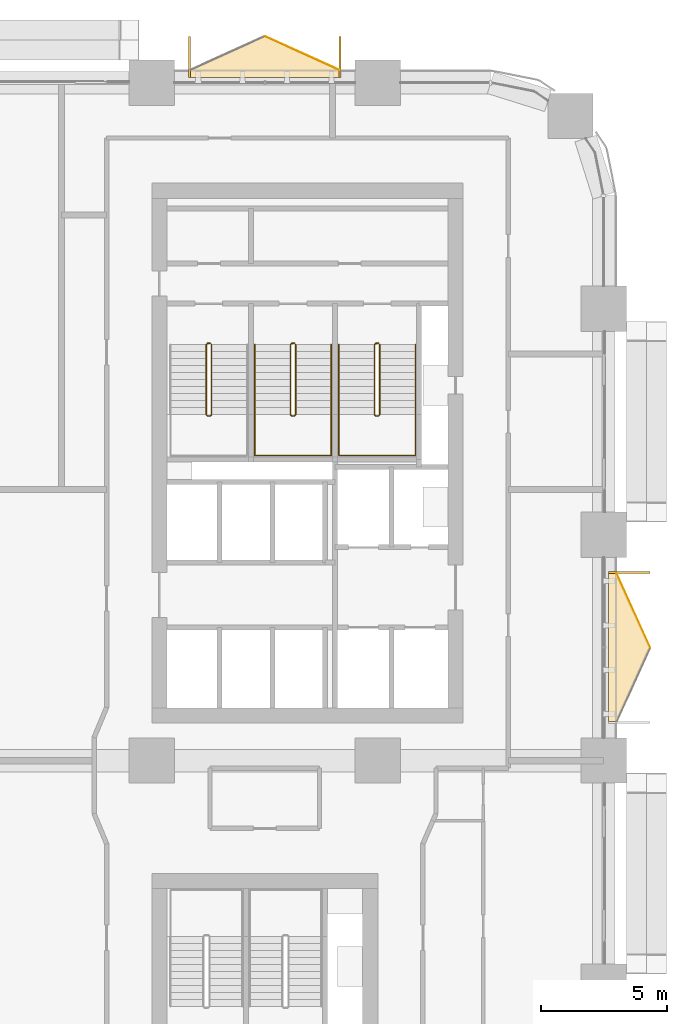
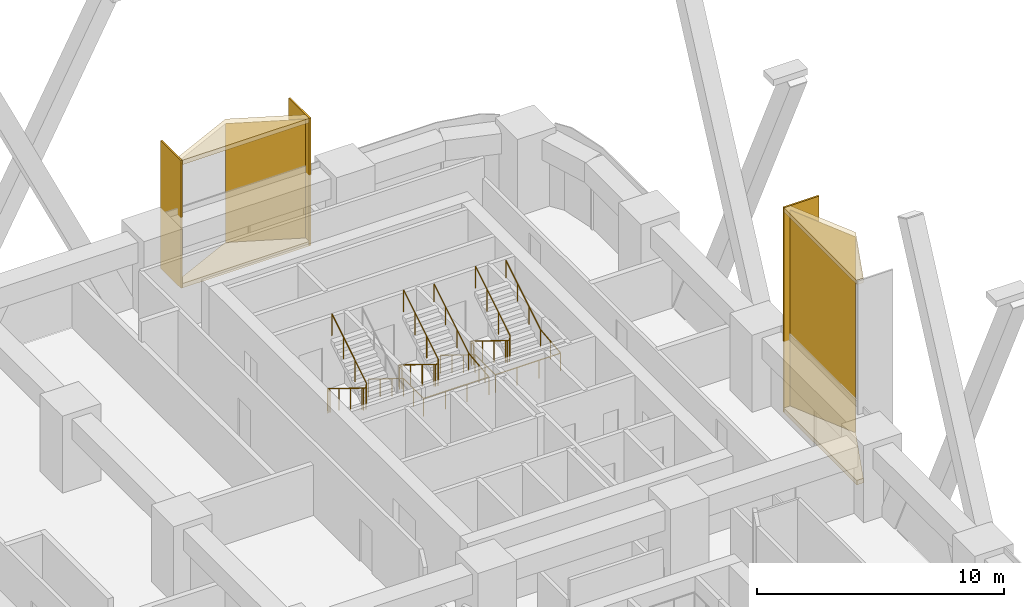
# One storey, part 26 of 26: 9 coverings, 5 railings.
"""IFC4 building model written with IfcOpenShell, lengths in metres."""

import ifcopenshell
import ifcopenshell.guid

model = None  # the IFC model being written
_history = None  # IfcOwnerHistory: only IFC2X3 demands one
_inside = {}  # id of a spatial element -> (the spatial element, [elements in it])
_under = {}  # id of a project, library or spatial element -> (it, [spatial elements below it])
_declared = {}  # id of a project -> (the project, [libraries it declares])
_typed = {}  # id of a type object -> (the type object, [elements of that type])
_made_of = {}  # id of a material, layer set ... -> (it, [elements and type objects made of it])


def new_model(schema):
    """Start an empty IFC model of exactly this schema.

    Asked for "IFC4X3", IfcOpenShell would pick the latest addendum, in which some entities
    have other attributes; the version numbers below select the first issue.
    IFC2X3 requires an IfcOwnerHistory on every rooted entity: one is made here for all.
    """
    global model, _history
    if schema == "IFC4X3":
        model = ifcopenshell.file(schema_version=(4, 3, 0, 0))
    else:
        model = ifcopenshell.file(schema=schema)
    _inside.clear()
    _under.clear()
    _declared.clear()
    _typed.clear()
    _made_of.clear()
    _history = None
    if model.schema == "IFC2X3":
        org = make("IfcOrganization", Name="unknown")
        user = make(
            "IfcPersonAndOrganization",
            ThePerson=make("IfcPerson", FamilyName="unknown"),
            TheOrganization=org,
        )
        app = make(
            "IfcApplication",
            ApplicationDeveloper=org,
            Version="unknown",
            ApplicationFullName="unknown",
            ApplicationIdentifier="unknown",
        )
        _history = make(
            "IfcOwnerHistory",
            OwningUser=user,
            OwningApplication=app,
            ChangeAction="ADDED",
            CreationDate=0,
        )
    return model


def make(cls, **values):
    """One entity of the class cls with the attributes given. An attribute that is None is left unset."""
    return model.create_entity(
        cls, **{name: value for name, value in values.items() if value is not None}
    )


def rooted(cls, **values):
    """An entity with a GlobalId (a new one), such as an element, a storey or a relation."""
    return make(cls, GlobalId=ifcopenshell.guid.new(), OwnerHistory=_history, **values)


def si_unit(unit_type, name, prefix=None):
    """IfcSIUnit, for example si_unit("LENGTHUNIT", "METRE", prefix="MILLI")."""
    return make("IfcSIUnit", UnitType=unit_type, Prefix=prefix, Name=name)


def assignment(units):
    """IfcUnitAssignment: the units of a project."""
    return None if units is None else make("IfcUnitAssignment", Units=units)


def point(xyz):
    """IfcCartesianPoint."""
    return None if xyz is None else make("IfcCartesianPoint", Coordinates=xyz)


def direction(xyz):
    """IfcDirection."""
    return None if xyz is None else make("IfcDirection", DirectionRatios=xyz)


def frame(location, z_axis=None, x_axis=None):
    """IfcAxis2Placement3D, a coordinate frame: its origin and axes. An axis left out is left unset."""
    return make(
        "IfcAxis2Placement3D",
        Location=point(location),
        Axis=direction(z_axis),
        RefDirection=direction(x_axis),
    )


def frame_2d(location, x_axis=None):
    """IfcAxis2Placement2D, a coordinate frame in the plane: its origin and x axis."""
    return make(
        "IfcAxis2Placement2D", Location=point(location), RefDirection=direction(x_axis)
    )


def origin():
    """The frame at (0, 0, 0) with its axes left unset."""
    return frame((0.0, 0.0, 0.0))


def origin_2d():
    """The frame at (0, 0) in the plane with its x axis left unset."""
    return frame_2d((0.0, 0.0))


def place(relative_to, where):
    """IfcLocalPlacement: puts the frame where relative to a parent placement (None: the world)."""
    return make(
        "IfcLocalPlacement", PlacementRelTo=relative_to, RelativePlacement=where
    )


def context(
    kind, dimensions, precision=None, world=None, true_north=None, identifier=None
):
    """IfcGeometricRepresentationContext, for example the 3D "Model" context."""
    return make(
        "IfcGeometricRepresentationContext",
        ContextIdentifier=identifier,
        ContextType=kind,
        CoordinateSpaceDimension=dimensions,
        Precision=precision,
        WorldCoordinateSystem=world,
        TrueNorth=true_north,
    )


def subcontext(parent, identifier, kind, view, scale=None):
    """IfcGeometricRepresentationSubContext, for example "Body" below "Model"."""
    return make(
        "IfcGeometricRepresentationSubContext",
        ContextIdentifier=identifier,
        ContextType=kind,
        ParentContext=parent,
        TargetScale=scale,
        TargetView=view,
    )


def project(units=None, contexts=None):
    """IfcProject with its units and contexts."""
    return rooted(
        "IfcProject",
        Name="project",
        RepresentationContexts=contexts,
        UnitsInContext=assignment(units),
    )


def spatial(cls, under=None, at=None, **own):
    """A site, building, storey or space (cls), placed at a placement, below another one or the project."""
    s = rooted(cls, ObjectPlacement=at, **own)
    if under is not None:
        _under.setdefault(under.id(), (under, []))[1].append(s)
    return s


def polyline(points):
    """IfcPolyline through the points."""
    return make("IfcPolyline", Points=[point(p) for p in points])


def profile(cls, at=None, kind="AREA", **sizes):
    """A parametric profile (cls). Its sizes go by their IFC names, for example OverallWidth=200.0."""
    return make(cls, ProfileType=kind, Position=at, **sizes)


def rectangle(**sizes):
    """IfcRectangleProfileDef."""
    return profile("IfcRectangleProfileDef", **sizes)


def circle(**sizes):
    """IfcCircleProfileDef."""
    return profile("IfcCircleProfileDef", **sizes)


def outline(outer, holes=None, kind="AREA"):
    """IfcArbitraryClosedProfileDef: a profile drawn as a closed curve; with holes, ...WithVoids."""
    if holes is None:
        return make("IfcArbitraryClosedProfileDef", ProfileType=kind, OuterCurve=outer)
    return make(
        "IfcArbitraryProfileDefWithVoids",
        ProfileType=kind,
        OuterCurve=outer,
        InnerCurves=holes,
    )


def extrude(swept, where, along, depth):
    """IfcExtrudedAreaSolid: the profile swept, set in the frame where, extruded along a direction by depth."""
    return make(
        "IfcExtrudedAreaSolid",
        SweptArea=swept,
        Position=where,
        ExtrudedDirection=direction(along),
        Depth=depth,
    )


def shape(context_of_items, identifier, shape_type, items):
    """IfcShapeRepresentation: the items that make up one representation, for example the "Body"."""
    return make(
        "IfcShapeRepresentation",
        ContextOfItems=context_of_items,
        RepresentationIdentifier=identifier,
        RepresentationType=shape_type,
        Items=items,
    )


def material(Name=None, Category=None):
    """IfcMaterial."""
    return make("IfcMaterial", Name=Name, Category=Category)


def layer(
    of_material, thickness, ventilated=None, Name=None, Category=None, Priority=None
):
    """IfcMaterialLayer: one layer of a wall or slab, of a material (None: an air gap)."""
    return make(
        "IfcMaterialLayer",
        Material=of_material,
        LayerThickness=thickness,
        IsVentilated=ventilated,
        Name=Name,
        Category=Category,
        Priority=Priority,
    )


def layer_set(layers, Name=None):
    """IfcMaterialLayerSet."""
    return make("IfcMaterialLayerSet", MaterialLayers=layers, LayerSetName=Name)


def made_of(thing, what):
    """Note that an element or type object is made of a material, layer set ...; save() writes the relation."""
    if what is not None:
        _made_of.setdefault(what.id(), (what, []))[1].append(thing)
    return thing


def type_object(cls, material=None, **own):
    """A type object (cls), such as IfcWallType, which elements share."""
    return made_of(rooted(cls, **own), material)


def element(
    cls,
    number,
    at=None,
    inside=None,
    cuts=None,
    type_object=None,
    material=None,
    context=None,
    identifier="Body",
    shape_type=None,
    held_by="IfcProductDefinitionShape",
    body=None,
    shapes=None,
    **own,
):
    """One element of the class cls, such as IfcWall. Its Tag is "e" and its number.

    at: its placement. inside: the storey or other place that contains it. cuts: it is an
    opening in that element (IfcRelVoidsElement). A single representation is given by context,
    identifier, shape_type and body (its items); several are given by shapes. held_by: the class
    of the entity that holds the representations. save() writes the other relations.
    """
    e = rooted(cls, Tag="e%d" % number, ObjectPlacement=at, **own)
    if body is not None:
        shapes = [shape(context, identifier, shape_type, body)]
    if shapes is not None:
        e.Representation = make(held_by, Representations=shapes)
    if inside is not None:
        _inside.setdefault(inside.id(), (inside, []))[1].append(e)
    if cuts is not None:
        rooted(
            "IfcRelVoidsElement", RelatingBuildingElement=cuts, RelatedOpeningElement=e
        )
    if type_object is not None:
        _typed.setdefault(type_object.id(), (type_object, []))[1].append(e)
    return made_of(e, material)


def aggregate(whole, parts):
    """IfcRelAggregates: a whole, such as a stair, and the parts it consists of."""
    return rooted("IfcRelAggregates", RelatingObject=whole, RelatedObjects=parts)


def save(model, path):
    """Write the relations noted so far, then the file.

    IfcRelAggregates (storeys below a building ...), IfcRelContainedInSpatialStructure (elements
    in a storey), IfcRelDefinesByType, IfcRelAssociatesMaterial and IfcRelDeclares: one each for
    every whole, place, type object, material and project.
    """
    for whole, parts in _under.values():
        aggregate(whole, parts)
    for where, things in _inside.values():
        rooted(
            "IfcRelContainedInSpatialStructure",
            RelatedElements=things,
            RelatingStructure=where,
        )
    for kind, things in _typed.values():
        rooted("IfcRelDefinesByType", RelatedObjects=things, RelatingType=kind)
    for what, things in _made_of.values():
        rooted("IfcRelAssociatesMaterial", RelatedObjects=things, RelatingMaterial=what)
    for by, libraries in _declared.values():
        rooted("IfcRelDeclares", RelatingContext=by, RelatedDefinitions=libraries)
    model.write(path)


model = new_model("IFC4")

# Units and contexts
model_context = context("Model", 3, precision=1e-05, world=origin(), true_north=direction((0.0, 1.0)))
body_context = subcontext(model_context, "Body", "Model", "MODEL_VIEW")
ifc_project = project(units=[si_unit("LENGTHUNIT", "METRE"), si_unit("AREAUNIT", "SQUARE_METRE"), si_unit("VOLUMEUNIT", "CUBIC_METRE"), si_unit("PLANEANGLEUNIT", "RADIAN"), si_unit("MASSUNIT", "GRAM", prefix="KILO")], contexts=[model_context])

# Site, building, storey
site_placement = place(None, origin())
site = spatial("IfcSite", under=ifc_project, at=site_placement, CompositionType="ELEMENT")
building_placement = place(site_placement, origin())
building = spatial("IfcBuilding", under=site, at=building_placement, Name="Tessera Arch", CompositionType="ELEMENT")
storey_placement = place(building_placement, frame((0.0, 0.0, 31.0)))
storey = spatial("IfcBuildingStorey", under=building, at=storey_placement, Name="L05", CompositionType="ELEMENT", Elevation=31.0)

# Railings
ifc_material_1 = material(Name="Painted steel balustrade", Category="steel")
railing_type_1 = type_object("IfcRailingType", Name="Stair guard 1100", PredefinedType="GUARDRAIL", material=ifc_material_1)
railing_1_placement = place(storey_placement, frame((38.219970703125, 43.6298828125, 0.0)))
element("IfcRailing", 1, at=railing_1_placement, inside=storey, type_object=railing_type_1, Name="L05 S1a stair guard 1", PredefinedType="GUARDRAIL", context=body_context, shape_type="SweptSolid", body=[
    extrude(circle(Radius=0.02392578125, at=origin_2d()), frame((-0.00390625, 0.0, 1.076171875), z_axis=(1.0, 0.0, 0.0), x_axis=(0.0, 1.0, 0.0)), (0.0, 0.0, 1.0), 0.1181640625),
    extrude(circle(Radius=0.02392578125, at=origin_2d()), frame((0.11279296875, 0.000732421875, 1.0732421875), z_axis=(-0.665449600336, -0.206938595226, 0.717184249143), x_axis=(0.296948579431, -0.954893471113, 0.0)), (0.0, 0.0, 1.0), 0.248779296875),
    extrude(circle(Radius=0.02392578125, at=origin_2d()), frame((-0.050048828125, -0.04638671875, 1.24658203125), z_axis=(0.0, -0.851089632645, 0.525020415988), x_axis=(1.0, 0.0, 0.0)), (0.0, 0.0, 1.0), 3.2978515625),
    extrude(circle(Radius=0.02392578125, at=origin_2d()), frame((-0.052978515625, -2.846923828125, 2.97607421875), z_axis=(0.707106781187, -0.707106781187, 0.0), x_axis=(0.707106781187, 0.707106781187, 0.0)), (0.0, 0.0, 1.0), 0.078857421875),
    extrude(circle(Radius=0.02392578125, at=origin_2d()), frame((-0.00390625, -2.89990234375, 2.97607421875), z_axis=(1.0, 0.0, 0.0), x_axis=(0.0, 1.0, 0.0)), (0.0, 0.0, 1.0), 0.1181640625),
    extrude(circle(Radius=0.02392578125, at=origin_2d()), frame((0.109130859375, -2.90087890625, 2.97216796875), z_axis=(0.266739603011, 0.268047150085, 0.925743328097), x_axis=(-0.708833529934, 0.705375805398, 0.0)), (0.0, 0.0, 1.0), 0.19482421875),
    extrude(circle(Radius=0.02392578125, at=origin_2d()), frame((0.159912109375, -2.853271484375, 3.146728515625), z_axis=(0.0, 0.851089632645, 0.525020415988), x_axis=(-1.0, 0.0, 0.0)), (0.0, 0.0, 1.0), 3.2978515625),
    extrude(circle(Radius=0.02099609375, at=origin_2d()), origin(), (0.0, 0.0, 1.0), 1.06396484375),
    extrude(circle(Radius=0.02099609375, at=origin_2d()), frame((0.110107421875, 0.0, 0.0)), (0.0, 0.0, 1.0), 1.06396484375),
    extrude(circle(Radius=0.02099609375, at=origin_2d()), frame((-0.050048828125, -0.0498046875, 0.172607421875)), (0.0, 0.0, 1.0), 1.06396484375),
    extrude(circle(Radius=0.02099609375, at=origin_2d()), frame((-0.050048828125, -0.983154296875, 0.748291015625)), (0.0, 0.0, 1.0), 1.06396484375),
    extrude(circle(Radius=0.02099609375, at=origin_2d()), frame((-0.050048828125, -1.91650390625, 1.32421875)), (0.0, 0.0, 1.0), 1.06396484375),
    extrude(circle(Radius=0.02099609375, at=origin_2d()), frame((-0.050048828125, -2.849853515625, 1.89990234375)), (0.0, 0.0, 1.0), 1.06396484375),
    extrude(circle(Radius=0.02099609375, at=origin_2d()), frame((0.0, -2.89990234375, 1.89990234375)), (0.0, 0.0, 1.0), 1.06396484375),
    extrude(circle(Radius=0.02099609375, at=origin_2d()), frame((0.110107421875, -2.89990234375, 1.89990234375)), (0.0, 0.0, 1.0), 1.06396484375),
    extrude(circle(Radius=0.02099609375, at=origin_2d()), frame((0.159912109375, -2.849853515625, 2.07275390625)), (0.0, 0.0, 1.0), 1.06396484375),
    extrude(circle(Radius=0.02099609375, at=origin_2d()), frame((0.159912109375, -1.91650390625, 2.6484375)), (0.0, 0.0, 1.0), 1.06396484375),
    extrude(circle(Radius=0.02099609375, at=origin_2d()), frame((0.159912109375, -0.983154296875, 3.224365234375)), (0.0, 0.0, 1.0), 1.06396484375),
    extrude(circle(Radius=0.02099609375, at=origin_2d()), frame((0.159912109375, -0.0498046875, 3.800048828125)), (0.0, 0.0, 1.0), 1.06396484375),
])
railing_2_placement = place(storey_placement, frame((41.570068359375, 43.6298828125, 0.0)))
element("IfcRailing", 2, at=railing_2_placement, inside=storey, type_object=railing_type_1, Name="L05 S1b stair guard 1", PredefinedType="GUARDRAIL", context=body_context, shape_type="SweptSolid", body=[
    extrude(circle(Radius=0.02392578125, at=origin_2d()), frame((-0.00390625, 0.0, 1.076171875), z_axis=(1.0, 0.0, 0.0), x_axis=(0.0, 1.0, 0.0)), (0.0, 0.0, 1.0), 0.117919921875),
    extrude(circle(Radius=0.02392578125, at=origin_2d()), frame((0.112548828125, 0.000732421875, 1.0732421875), z_axis=(-0.664883824791, -0.207078321004, 0.717668494851), x_axis=(0.297361876254, -0.954764847777, 0.0)), (0.0, 0.0, 1.0), 0.24853515625),
    extrude(circle(Radius=0.02392578125, at=origin_2d()), frame((-0.050048828125, -0.04638671875, 1.24658203125), z_axis=(0.0, -0.851089632645, 0.525020415988), x_axis=(1.0, 0.0, 0.0)), (0.0, 0.0, 1.0), 3.2978515625),
    extrude(circle(Radius=0.02392578125, at=origin_2d()), frame((-0.052978515625, -2.846923828125, 2.97607421875), z_axis=(0.707106781187, -0.707106781187, 0.0), x_axis=(0.707106781187, 0.707106781187, 0.0)), (0.0, 0.0, 1.0), 0.078857421875),
    extrude(circle(Radius=0.02392578125, at=origin_2d()), frame((-0.00390625, -2.89990234375, 2.97607421875), z_axis=(1.0, 0.0, 0.0), x_axis=(0.0, 1.0, 0.0)), (0.0, 0.0, 1.0), 0.117919921875),
    extrude(circle(Radius=0.02392578125, at=origin_2d()), frame((0.10888671875, -2.90087890625, 2.97216796875), z_axis=(0.267953482034, 0.267953482034, 0.925419830635), x_axis=(-0.707106781187, 0.707106781187, 0.0)), (0.0, 0.0, 1.0), 0.19482421875),
    extrude(circle(Radius=0.02392578125, at=origin_2d()), frame((0.159912109375, -2.853271484375, 3.146728515625), z_axis=(0.0, 0.851089632645, 0.525020415988), x_axis=(-1.0, 0.0, 0.0)), (0.0, 0.0, 1.0), 3.2978515625),
    extrude(circle(Radius=0.02099609375, at=origin_2d()), origin(), (0.0, 0.0, 1.0), 1.06396484375),
    extrude(circle(Radius=0.02099609375, at=origin_2d()), frame((0.10986328125, 0.0, 0.0)), (0.0, 0.0, 1.0), 1.06396484375),
    extrude(circle(Radius=0.02099609375, at=origin_2d()), frame((-0.050048828125, -0.0498046875, 0.172607421875)), (0.0, 0.0, 1.0), 1.06396484375),
    extrude(circle(Radius=0.02099609375, at=origin_2d()), frame((-0.050048828125, -0.983154296875, 0.748291015625)), (0.0, 0.0, 1.0), 1.06396484375),
    extrude(circle(Radius=0.02099609375, at=origin_2d()), frame((-0.050048828125, -1.91650390625, 1.32421875)), (0.0, 0.0, 1.0), 1.06396484375),
    extrude(circle(Radius=0.02099609375, at=origin_2d()), frame((-0.050048828125, -2.849853515625, 1.89990234375)), (0.0, 0.0, 1.0), 1.06396484375),
    extrude(circle(Radius=0.02099609375, at=origin_2d()), frame((0.0, -2.89990234375, 1.89990234375)), (0.0, 0.0, 1.0), 1.06396484375),
    extrude(circle(Radius=0.02099609375, at=origin_2d()), frame((0.10986328125, -2.89990234375, 1.89990234375)), (0.0, 0.0, 1.0), 1.06396484375),
    extrude(circle(Radius=0.02099609375, at=origin_2d()), frame((0.159912109375, -2.849853515625, 2.07275390625)), (0.0, 0.0, 1.0), 1.06396484375),
    extrude(circle(Radius=0.02099609375, at=origin_2d()), frame((0.159912109375, -1.91650390625, 2.6484375)), (0.0, 0.0, 1.0), 1.06396484375),
    extrude(circle(Radius=0.02099609375, at=origin_2d()), frame((0.159912109375, -0.983154296875, 3.224365234375)), (0.0, 0.0, 1.0), 1.06396484375),
    extrude(circle(Radius=0.02099609375, at=origin_2d()), frame((0.159912109375, -0.0498046875, 3.800048828125)), (0.0, 0.0, 1.0), 1.06396484375),
])
railing_3_placement = place(storey_placement, frame((44.919921875, 43.6298828125, 0.0)))
element("IfcRailing", 3, at=railing_3_placement, inside=storey, type_object=railing_type_1, Name="L05 S1c stair guard 1", PredefinedType="GUARDRAIL", context=body_context, shape_type="SweptSolid", body=[
    extrude(circle(Radius=0.02392578125, at=origin_2d()), frame((-0.00390625, 0.0, 1.076171875), z_axis=(1.0, 0.0, 0.0), x_axis=(0.0, 1.0, 0.0)), (0.0, 0.0, 1.0), 0.1181640625),
    extrude(circle(Radius=0.02392578125, at=origin_2d()), frame((0.11279296875, 0.000732421875, 1.0732421875), z_axis=(-0.664883824791, -0.207078321004, 0.717668494851), x_axis=(0.297361876254, -0.954764847777, 0.0)), (0.0, 0.0, 1.0), 0.24853515625),
    extrude(circle(Radius=0.02392578125, at=origin_2d()), frame((-0.0498046875, -0.04638671875, 1.24658203125), z_axis=(0.0, -0.851089632645, 0.525020415988), x_axis=(1.0, 0.0, 0.0)), (0.0, 0.0, 1.0), 3.2978515625),
    extrude(circle(Radius=0.02392578125, at=origin_2d()), frame((-0.052734375, -2.846923828125, 2.97607421875), z_axis=(0.705375805398, -0.708833529934, 0.0), x_axis=(0.708833529934, 0.705375805398, 0.0)), (0.0, 0.0, 1.0), 0.07861328125),
    extrude(circle(Radius=0.02392578125, at=origin_2d()), frame((-0.00390625, -2.89990234375, 2.97607421875), z_axis=(1.0, 0.0, 0.0), x_axis=(0.0, 1.0, 0.0)), (0.0, 0.0, 1.0), 0.1181640625),
    extrude(circle(Radius=0.02392578125, at=origin_2d()), frame((0.109130859375, -2.90087890625, 2.97216796875), z_axis=(0.267953482034, 0.267953482034, 0.925419830635), x_axis=(-0.707106781187, 0.707106781187, 0.0)), (0.0, 0.0, 1.0), 0.19482421875),
    extrude(circle(Radius=0.02392578125, at=origin_2d()), frame((0.16015625, -2.853271484375, 3.146728515625), z_axis=(0.0, 0.851089632645, 0.525020415988), x_axis=(-1.0, 0.0, 0.0)), (0.0, 0.0, 1.0), 3.2978515625),
    extrude(circle(Radius=0.02099609375, at=origin_2d()), origin(), (0.0, 0.0, 1.0), 1.06396484375),
    extrude(circle(Radius=0.02099609375, at=origin_2d()), frame((0.110107421875, 0.0, 0.0)), (0.0, 0.0, 1.0), 1.06396484375),
    extrude(circle(Radius=0.02099609375, at=origin_2d()), frame((-0.0498046875, -0.0498046875, 0.172607421875)), (0.0, 0.0, 1.0), 1.06396484375),
    extrude(circle(Radius=0.02099609375, at=origin_2d()), frame((-0.0498046875, -0.983154296875, 0.748291015625)), (0.0, 0.0, 1.0), 1.06396484375),
    extrude(circle(Radius=0.02099609375, at=origin_2d()), frame((-0.0498046875, -1.91650390625, 1.32421875)), (0.0, 0.0, 1.0), 1.06396484375),
    extrude(circle(Radius=0.02099609375, at=origin_2d()), frame((-0.0498046875, -2.849853515625, 1.89990234375)), (0.0, 0.0, 1.0), 1.06396484375),
    extrude(circle(Radius=0.02099609375, at=origin_2d()), frame((0.0, -2.89990234375, 1.89990234375)), (0.0, 0.0, 1.0), 1.06396484375),
    extrude(circle(Radius=0.02099609375, at=origin_2d()), frame((0.110107421875, -2.89990234375, 1.89990234375)), (0.0, 0.0, 1.0), 1.06396484375),
    extrude(circle(Radius=0.02099609375, at=origin_2d()), frame((0.16015625, -2.849853515625, 2.07275390625)), (0.0, 0.0, 1.0), 1.06396484375),
    extrude(circle(Radius=0.02099609375, at=origin_2d()), frame((0.16015625, -1.91650390625, 2.6484375)), (0.0, 0.0, 1.0), 1.06396484375),
    extrude(circle(Radius=0.02099609375, at=origin_2d()), frame((0.16015625, -0.983154296875, 3.224365234375)), (0.0, 0.0, 1.0), 1.06396484375),
    extrude(circle(Radius=0.02099609375, at=origin_2d()), frame((0.16015625, -0.0498046875, 3.800048828125)), (0.0, 0.0, 1.0), 1.06396484375),
])
ifc_material_2 = material(Name="Painted steel handrail", Category="steel")
railing_type_2 = type_object("IfcRailingType", Name="Stair handrail 900", PredefinedType="HANDRAIL", material=ifc_material_2)
railing_4_placement = place(storey_placement, frame((40.10009765625, 43.580078125, 0.172607421875)))
element("IfcRailing", 4, at=railing_4_placement, inside=storey, type_object=railing_type_2, Name="L05 S1b stair handrail", PredefinedType="HANDRAIL", context=body_context, shape_type="SweptSolid", body=[
    extrude(circle(Radius=0.02392578125, at=origin_2d()), frame((0.0, 0.00341796875, 0.873779296875), z_axis=(0.0, -0.851089632645, 0.525020415988), x_axis=(1.0, 0.0, 0.0)), (0.0, 0.0, 1.0), 3.2978515625),
    extrude(circle(Radius=0.02392578125, at=origin_2d()), frame((0.0, -2.796142578125, 2.60302734375), z_axis=(0.0, -1.0, 0.0), x_axis=(1.0, 0.0, 0.0)), (0.0, 0.0, 1.0), 1.63818359375),
    extrude(circle(Radius=0.02392578125, at=origin_2d()), frame((-0.00390625, -4.43017578125, 2.60302734375), z_axis=(1.0, 0.0, 0.0), x_axis=(0.0, 1.0, 0.0)), (0.0, 0.0, 1.0), 3.057861328125),
    extrude(circle(Radius=0.02392578125, at=origin_2d()), frame((3.0498046875, -4.43408203125, 2.602783203125), z_axis=(0.0, 0.994425187763, 0.105444515941), x_axis=(-1.0, 0.0, 0.0)), (0.0, 0.0, 1.0), 1.647216796875),
    extrude(circle(Radius=0.02392578125, at=origin_2d()), frame((3.0498046875, -2.803466796875, 2.77392578125), z_axis=(0.0, 0.851089632645, 0.525020415988), x_axis=(-1.0, 0.0, 0.0)), (0.0, 0.0, 1.0), 3.2978515625),
    extrude(circle(Radius=0.02099609375, at=origin_2d()), origin(), (0.0, 0.0, 1.0), 0.86376953125),
    extrude(circle(Radius=0.02099609375, at=origin_2d()), frame((0.0, -0.933349609375, 0.57568359375)), (0.0, 0.0, 1.0), 0.86376953125),
    extrude(circle(Radius=0.02099609375, at=origin_2d()), frame((0.0, -1.86669921875, 1.151611328125)), (0.0, 0.0, 1.0), 0.86376953125),
    extrude(circle(Radius=0.02099609375, at=origin_2d()), frame((0.0, -2.800048828125, 1.727294921875)), (0.0, 0.0, 1.0), 0.86376953125),
    extrude(circle(Radius=0.02099609375, at=origin_2d()), frame((0.0, -3.615234375, 1.727294921875)), (0.0, 0.0, 1.0), 0.86376953125),
    extrude(circle(Radius=0.02099609375, at=origin_2d()), frame((0.0, -4.43017578125, 1.727294921875)), (0.0, 0.0, 1.0), 0.86376953125),
    extrude(circle(Radius=0.02099609375, at=origin_2d()), frame((1.0166015625, -4.43017578125, 1.727294921875)), (0.0, 0.0, 1.0), 0.86376953125),
    extrude(circle(Radius=0.02099609375, at=origin_2d()), frame((2.033203125, -4.43017578125, 1.727294921875)), (0.0, 0.0, 1.0), 0.86376953125),
    extrude(circle(Radius=0.02099609375, at=origin_2d()), frame((3.0498046875, -4.43017578125, 1.727294921875)), (0.0, 0.0, 1.0), 0.86376953125),
    extrude(circle(Radius=0.02099609375, at=origin_2d()), frame((3.0498046875, -3.615234375, 1.813720703125)), (0.0, 0.0, 1.0), 0.86376953125),
    extrude(circle(Radius=0.02099609375, at=origin_2d()), frame((3.0498046875, -2.800048828125, 1.900146484375)), (0.0, 0.0, 1.0), 0.86376953125),
    extrude(circle(Radius=0.02099609375, at=origin_2d()), frame((3.0498046875, -1.86669921875, 2.475830078125)), (0.0, 0.0, 1.0), 0.86376953125),
    extrude(circle(Radius=0.02099609375, at=origin_2d()), frame((3.0498046875, -0.933349609375, 3.0517578125)), (0.0, 0.0, 1.0), 0.86376953125),
    extrude(circle(Radius=0.02099609375, at=origin_2d()), frame((3.0498046875, 0.0, 3.62744140625)), (0.0, 0.0, 1.0), 0.86376953125),
])
railing_5_placement = place(storey_placement, frame((43.449951171875, 43.580078125, 0.172607421875)))
element("IfcRailing", 5, at=railing_5_placement, inside=storey, type_object=railing_type_2, Name="L05 S1c stair handrail", PredefinedType="HANDRAIL", context=body_context, shape_type="SweptSolid", body=[
    extrude(circle(Radius=0.02392578125, at=origin_2d()), frame((0.0, 0.00341796875, 0.873779296875), z_axis=(0.0, -0.851089632645, 0.525020415988), x_axis=(1.0, 0.0, 0.0)), (0.0, 0.0, 1.0), 3.2978515625),
    extrude(circle(Radius=0.02392578125, at=origin_2d()), frame((0.0, -2.796142578125, 2.60302734375), z_axis=(0.0, -1.0, 0.0), x_axis=(1.0, 0.0, 0.0)), (0.0, 0.0, 1.0), 1.63818359375),
    extrude(circle(Radius=0.02392578125, at=origin_2d()), frame((-0.00390625, -4.43017578125, 2.60302734375), z_axis=(1.0, 0.0, 0.0), x_axis=(0.0, 1.0, 0.0)), (0.0, 0.0, 1.0), 3.05810546875),
    extrude(circle(Radius=0.02392578125, at=origin_2d()), frame((3.050048828125, -4.43408203125, 2.602783203125), z_axis=(0.0, 0.994425187763, 0.105444515941), x_axis=(-1.0, 0.0, 0.0)), (0.0, 0.0, 1.0), 1.647216796875),
    extrude(circle(Radius=0.02392578125, at=origin_2d()), frame((3.050048828125, -2.803466796875, 2.77392578125), z_axis=(0.0, 0.851089632645, 0.525020415988), x_axis=(-1.0, 0.0, 0.0)), (0.0, 0.0, 1.0), 3.2978515625),
    extrude(circle(Radius=0.02099609375, at=origin_2d()), origin(), (0.0, 0.0, 1.0), 0.86376953125),
    extrude(circle(Radius=0.02099609375, at=origin_2d()), frame((0.0, -0.933349609375, 0.57568359375)), (0.0, 0.0, 1.0), 0.86376953125),
    extrude(circle(Radius=0.02099609375, at=origin_2d()), frame((0.0, -1.86669921875, 1.151611328125)), (0.0, 0.0, 1.0), 0.86376953125),
    extrude(circle(Radius=0.02099609375, at=origin_2d()), frame((0.0, -2.800048828125, 1.727294921875)), (0.0, 0.0, 1.0), 0.86376953125),
    extrude(circle(Radius=0.02099609375, at=origin_2d()), frame((0.0, -3.615234375, 1.727294921875)), (0.0, 0.0, 1.0), 0.86376953125),
    extrude(circle(Radius=0.02099609375, at=origin_2d()), frame((0.0, -4.43017578125, 1.727294921875)), (0.0, 0.0, 1.0), 0.86376953125),
    extrude(circle(Radius=0.02099609375, at=origin_2d()), frame((1.0166015625, -4.43017578125, 1.727294921875)), (0.0, 0.0, 1.0), 0.86376953125),
    extrude(circle(Radius=0.02099609375, at=origin_2d()), frame((2.033447265625, -4.43017578125, 1.727294921875)), (0.0, 0.0, 1.0), 0.86376953125),
    extrude(circle(Radius=0.02099609375, at=origin_2d()), frame((3.050048828125, -4.43017578125, 1.727294921875)), (0.0, 0.0, 1.0), 0.86376953125),
    extrude(circle(Radius=0.02099609375, at=origin_2d()), frame((3.050048828125, -3.615234375, 1.813720703125)), (0.0, 0.0, 1.0), 0.86376953125),
    extrude(circle(Radius=0.02099609375, at=origin_2d()), frame((3.050048828125, -2.800048828125, 1.900146484375)), (0.0, 0.0, 1.0), 0.86376953125),
    extrude(circle(Radius=0.02099609375, at=origin_2d()), frame((3.050048828125, -1.86669921875, 2.475830078125)), (0.0, 0.0, 1.0), 0.86376953125),
    extrude(circle(Radius=0.02099609375, at=origin_2d()), frame((3.050048828125, -0.933349609375, 3.0517578125)), (0.0, 0.0, 1.0), 0.86376953125),
    extrude(circle(Radius=0.02099609375, at=origin_2d()), frame((3.050048828125, 0.0, 3.62744140625)), (0.0, 0.0, 1.0), 0.86376953125),
])

# Coverings
ifc_material_3 = material(Name="Anodised aluminium pale metal", Category="aluminium")
ifc_layer_1 = layer(ifc_material_3, 0.080078125)
ifc_layer_set_1 = layer_set([ifc_layer_1], Name="Window box cheek")
covering_type_1 = type_object("IfcCoveringType", Name="Window box cheek", PredefinedType="CLADDING", material=ifc_layer_set_1)
covering_1_placement = place(storey_placement, origin())
element("IfcCovering", 6, at=covering_1_placement, inside=storey, type_object=covering_type_1, Name="Window box N54.0/1.0 2x2 cheek", PredefinedType="CLADDING", context=body_context, shape_type="SweptSolid", body=[
    extrude(outline(polyline([(43.530029296875, 55.85009765625), (43.449951171875, 55.85009765625), (43.449951171875, 54.199951171875), (43.530029296875, 54.199951171875), (43.530029296875, 55.85009765625)])), origin(), (0.0, 0.0, 1.0), 6.300048828125),
])
covering_2_placement = place(storey_placement, origin())
element("IfcCovering", 7, at=covering_2_placement, inside=storey, type_object=covering_type_1, Name="Window box N54.0/1.0 2x2 cheek", PredefinedType="CLADDING", context=body_context, shape_type="SweptSolid", body=[
    extrude(outline(polyline([(37.550048828125, 55.85009765625), (37.469970703125, 55.85009765625), (37.469970703125, 54.199951171875), (37.550048828125, 54.199951171875), (37.550048828125, 55.85009765625)])), origin(), (0.0, 0.0, 1.0), 6.300048828125),
])
covering_3_placement = place(storey_placement, origin())
element("IfcCovering", 8, at=covering_3_placement, inside=storey, type_object=covering_type_1, Name="Window box E54.0/3.0 2x3 cheek", PredefinedType="CLADDING", context=body_context, shape_type="SweptSolid", body=[
    extrude(outline(polyline([(55.85009765625, 34.449951171875), (55.85009765625, 34.530029296875), (54.199951171875, 34.530029296875), (54.199951171875, 34.449951171875), (55.85009765625, 34.449951171875)])), origin(), (0.0, 0.0, 1.0), 10.10009765625),
])
ifc_material_4 = material(Name="Anodised aluminium gold", Category="aluminium")
ifc_layer_2 = layer(ifc_material_4, 0.219970703125)
ifc_layer_set_2 = layer_set([ifc_layer_2], Name="Window box frame plate gold")
covering_type_2 = type_object("IfcCoveringType", Name="Window box frame plate gold", PredefinedType="CLADDING", material=ifc_layer_set_2)
for number, where, name in (
    (9, (0.0, 0.0, 0.0), "Window box N54.0/1.0 2x2 floor"),
    (10, (0.0, 0.0, 6.080078125), "Window box N54.0/1.0 2x2 roof"),
):
    element("IfcCovering", number, at=place(storey_placement, frame(where)), inside=storey, type_object=covering_type_2, Name=name, PredefinedType="CLADDING", context=body_context, shape_type="SweptSolid", body=[
        extrude(outline(polyline([(43.449951171875, 54.510009765625), (40.5, 55.85009765625), (37.550048828125, 54.510009765625), (37.550048828125, 54.199951171875), (43.449951171875, 54.199951171875), (43.449951171875, 54.510009765625)])), origin(), (0.0, 0.0, 1.0), 0.219970703125),
    ])
ifc_material_5 = material(Name="Anodised aluminium pale metal", Category="aluminium")
ifc_layer_3 = layer(ifc_material_5, 0.219970703125)
ifc_layer_set_3 = layer_set([ifc_layer_3], Name="Window box frame plate pale metal")
covering_type_3 = type_object("IfcCoveringType", Name="Window box frame plate pale metal", PredefinedType="CLADDING", material=ifc_layer_set_3)
covering_4_placement = place(storey_placement, origin())
element("IfcCovering", 11, at=covering_4_placement, inside=storey, type_object=covering_type_3, Name="Window box E54.0/3.0 2x3 floor", PredefinedType="CLADDING", context=body_context, shape_type="SweptSolid", body=[
    extrude(outline(polyline([(54.510009765625, 28.550048828125), (55.85009765625, 31.5), (54.510009765625, 34.449951171875), (54.199951171875, 34.449951171875), (54.199951171875, 28.550048828125), (54.510009765625, 28.550048828125)])), origin(), (0.0, 0.0, 1.0), 0.219970703125),
])
covering_5_placement = place(storey_placement, frame((0.0, 0.0, 9.8798828125)))
element("IfcCovering", 12, at=covering_5_placement, inside=storey, type_object=covering_type_3, Name="Window box E54.0/3.0 2x3 roof", PredefinedType="CLADDING", context=body_context, shape_type="SweptSolid", body=[
    extrude(outline(polyline([(54.510009765625, 28.550048828125), (55.85009765625, 31.5), (54.510009765625, 34.449951171875), (54.199951171875, 34.449951171875), (54.199951171875, 28.550048828125), (54.510009765625, 28.550048828125)])), origin(), (0.0, 0.0, 1.0), 0.22021484375),
])
ifc_material_6 = material(Name="Anodised aluminium pale metal", Category="aluminium")
ifc_layer_4 = layer(ifc_material_6, 0.028076171875)
ifc_layer_set_4 = layer_set([ifc_layer_4], Name="Window box side panel")
covering_type_4 = type_object("IfcCoveringType", Name="Window box side panel", PredefinedType="CLADDING", material=ifc_layer_set_4)
covering_6_placement = place(storey_placement, frame((41.97509765625, 55.179931640625, 0.2197265625), z_axis=(0.0, 0.0, 1.0), x_axis=(-0.910472144558, 0.413570397858, 0.0)))
element("IfcCovering", 13, at=covering_6_placement, inside=storey, type_object=covering_type_4, Name="Window box N54.0/1.0 2x2 side panel", PredefinedType="CLADDING", context=body_context, shape_type="SweptSolid", body=[
    extrude(rectangle(XDim=3.239990234375, YDim=0.028076171875, at=origin_2d()), origin(), (0.0, 0.0, 1.0), 5.860107421875),
])
covering_7_placement = place(storey_placement, frame((55.179931640625, 32.97509765625, 0.22021484375), z_axis=(0.0, 0.0, 1.0), x_axis=(0.413570397858, -0.910472144558, 0.0)))
element("IfcCovering", 14, at=covering_7_placement, inside=storey, type_object=covering_type_4, Name="Window box E54.0/3.0 2x3 side panel", PredefinedType="CLADDING", context=body_context, shape_type="SweptSolid", body=[
    extrude(rectangle(XDim=3.239990234375, YDim=0.028076171875, at=origin_2d()), origin(), (0.0, 0.0, 1.0), 9.659912109375),
])

save(model, "model.ifc")
